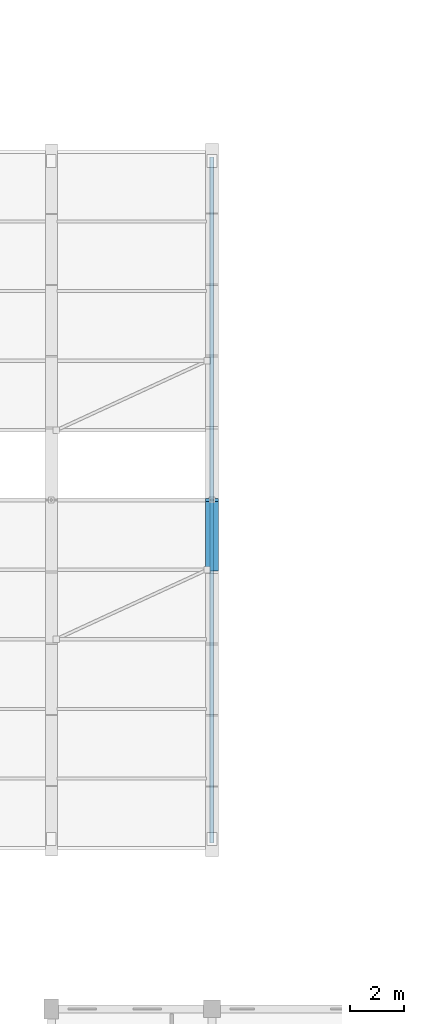
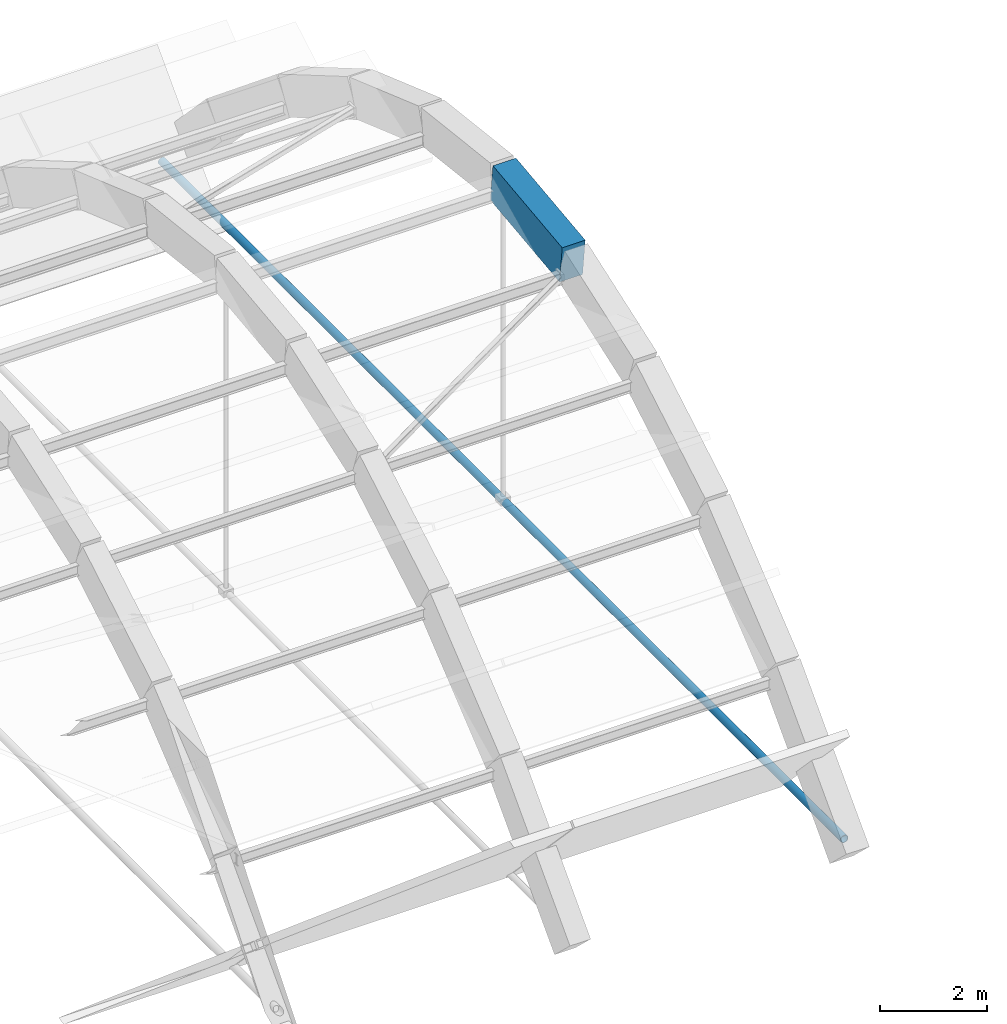
# One storey, part 35 of 123: 1 beam, 1 member.
"""IFC4 building model written with IfcOpenShell, lengths in metres."""

import ifcopenshell
import ifcopenshell.guid

model = None  # the IFC model being written
_history = None  # IfcOwnerHistory: only IFC2X3 demands one
_inside = {}  # id of a spatial element -> (the spatial element, [elements in it])
_under = {}  # id of a project, library or spatial element -> (it, [spatial elements below it])
_declared = {}  # id of a project -> (the project, [libraries it declares])
_typed = {}  # id of a type object -> (the type object, [elements of that type])
_made_of = {}  # id of a material, layer set ... -> (it, [elements and type objects made of it])


def new_model(schema):
    """Start an empty IFC model of exactly this schema.

    Asked for "IFC4X3", IfcOpenShell would pick the latest addendum, in which some entities
    have other attributes; the version numbers below select the first issue.
    IFC2X3 requires an IfcOwnerHistory on every rooted entity: one is made here for all.
    """
    global model, _history
    if schema == "IFC4X3":
        model = ifcopenshell.file(schema_version=(4, 3, 0, 0))
    else:
        model = ifcopenshell.file(schema=schema)
    _inside.clear()
    _under.clear()
    _declared.clear()
    _typed.clear()
    _made_of.clear()
    _history = None
    if model.schema == "IFC2X3":
        org = make("IfcOrganization", Name="unknown")
        user = make(
            "IfcPersonAndOrganization",
            ThePerson=make("IfcPerson", FamilyName="unknown"),
            TheOrganization=org,
        )
        app = make(
            "IfcApplication",
            ApplicationDeveloper=org,
            Version="unknown",
            ApplicationFullName="unknown",
            ApplicationIdentifier="unknown",
        )
        _history = make(
            "IfcOwnerHistory",
            OwningUser=user,
            OwningApplication=app,
            ChangeAction="ADDED",
            CreationDate=0,
        )
    return model


def make(cls, **values):
    """One entity of the class cls with the attributes given. An attribute that is None is left unset."""
    return model.create_entity(
        cls, **{name: value for name, value in values.items() if value is not None}
    )


def rooted(cls, **values):
    """An entity with a GlobalId (a new one), such as an element, a storey or a relation."""
    return make(cls, GlobalId=ifcopenshell.guid.new(), OwnerHistory=_history, **values)


def si_unit(unit_type, name, prefix=None):
    """IfcSIUnit, for example si_unit("LENGTHUNIT", "METRE", prefix="MILLI")."""
    return make("IfcSIUnit", UnitType=unit_type, Prefix=prefix, Name=name)


def assignment(units):
    """IfcUnitAssignment: the units of a project."""
    return None if units is None else make("IfcUnitAssignment", Units=units)


def point(xyz):
    """IfcCartesianPoint."""
    return None if xyz is None else make("IfcCartesianPoint", Coordinates=xyz)


def direction(xyz):
    """IfcDirection."""
    return None if xyz is None else make("IfcDirection", DirectionRatios=xyz)


def frame(location, z_axis=None, x_axis=None):
    """IfcAxis2Placement3D, a coordinate frame: its origin and axes. An axis left out is left unset."""
    return make(
        "IfcAxis2Placement3D",
        Location=point(location),
        Axis=direction(z_axis),
        RefDirection=direction(x_axis),
    )


def frame_2d(location, x_axis=None):
    """IfcAxis2Placement2D, a coordinate frame in the plane: its origin and x axis."""
    return make(
        "IfcAxis2Placement2D", Location=point(location), RefDirection=direction(x_axis)
    )


def origin():
    """The frame at (0, 0, 0) with its axes left unset."""
    return frame((0.0, 0.0, 0.0))


def origin_2d():
    """The frame at (0, 0) in the plane with its x axis left unset."""
    return frame_2d((0.0, 0.0))


def place(relative_to, where):
    """IfcLocalPlacement: puts the frame where relative to a parent placement (None: the world)."""
    return make(
        "IfcLocalPlacement", PlacementRelTo=relative_to, RelativePlacement=where
    )


def context(
    kind, dimensions, precision=None, world=None, true_north=None, identifier=None
):
    """IfcGeometricRepresentationContext, for example the 3D "Model" context."""
    return make(
        "IfcGeometricRepresentationContext",
        ContextIdentifier=identifier,
        ContextType=kind,
        CoordinateSpaceDimension=dimensions,
        Precision=precision,
        WorldCoordinateSystem=world,
        TrueNorth=true_north,
    )


def subcontext(parent, identifier, kind, view, scale=None):
    """IfcGeometricRepresentationSubContext, for example "Body" below "Model"."""
    return make(
        "IfcGeometricRepresentationSubContext",
        ContextIdentifier=identifier,
        ContextType=kind,
        ParentContext=parent,
        TargetScale=scale,
        TargetView=view,
    )


def project(units=None, contexts=None):
    """IfcProject with its units and contexts."""
    return rooted(
        "IfcProject",
        Name="project",
        RepresentationContexts=contexts,
        UnitsInContext=assignment(units),
    )


def spatial(cls, under=None, at=None, **own):
    """A site, building, storey or space (cls), placed at a placement, below another one or the project."""
    s = rooted(cls, ObjectPlacement=at, **own)
    if under is not None:
        _under.setdefault(under.id(), (under, []))[1].append(s)
    return s


def profile(cls, at=None, kind="AREA", **sizes):
    """A parametric profile (cls). Its sizes go by their IFC names, for example OverallWidth=200.0."""
    return make(cls, ProfileType=kind, Position=at, **sizes)


def rectangle(**sizes):
    """IfcRectangleProfileDef."""
    return profile("IfcRectangleProfileDef", **sizes)


def hollow_circle(**sizes):
    """IfcCircleHollowProfileDef."""
    return profile("IfcCircleHollowProfileDef", **sizes)


def extrude(swept, where, along, depth):
    """IfcExtrudedAreaSolid: the profile swept, set in the frame where, extruded along a direction by depth."""
    return make(
        "IfcExtrudedAreaSolid",
        SweptArea=swept,
        Position=where,
        ExtrudedDirection=direction(along),
        Depth=depth,
    )


def shape(context_of_items, identifier, shape_type, items):
    """IfcShapeRepresentation: the items that make up one representation, for example the "Body"."""
    return make(
        "IfcShapeRepresentation",
        ContextOfItems=context_of_items,
        RepresentationIdentifier=identifier,
        RepresentationType=shape_type,
        Items=items,
    )


def material(Name=None, Category=None):
    """IfcMaterial."""
    return make("IfcMaterial", Name=Name, Category=Category)


def material_profile(
    of_material, cross_section, Name=None, Category=None, Priority=None
):
    """IfcMaterialProfile: a cross section and its material."""
    return make(
        "IfcMaterialProfile",
        Name=Name,
        Material=of_material,
        Profile=cross_section,
        Priority=Priority,
        Category=Category,
    )


def profile_set(profiles, Name=None, composite=None):
    """IfcMaterialProfileSet."""
    return make(
        "IfcMaterialProfileSet",
        Name=Name,
        MaterialProfiles=profiles,
        CompositeProfile=composite,
    )


def made_of(thing, what):
    """Note that an element or type object is made of a material, layer set ...; save() writes the relation."""
    if what is not None:
        _made_of.setdefault(what.id(), (what, []))[1].append(thing)
    return thing


def type_object(cls, material=None, **own):
    """A type object (cls), such as IfcWallType, which elements share."""
    return made_of(rooted(cls, **own), material)


def element(
    cls,
    number,
    at=None,
    inside=None,
    cuts=None,
    type_object=None,
    material=None,
    context=None,
    identifier="Body",
    shape_type=None,
    held_by="IfcProductDefinitionShape",
    body=None,
    shapes=None,
    **own,
):
    """One element of the class cls, such as IfcWall. Its Tag is "e" and its number.

    at: its placement. inside: the storey or other place that contains it. cuts: it is an
    opening in that element (IfcRelVoidsElement). A single representation is given by context,
    identifier, shape_type and body (its items); several are given by shapes. held_by: the class
    of the entity that holds the representations. save() writes the other relations.
    """
    e = rooted(cls, Tag="e%d" % number, ObjectPlacement=at, **own)
    if body is not None:
        shapes = [shape(context, identifier, shape_type, body)]
    if shapes is not None:
        e.Representation = make(held_by, Representations=shapes)
    if inside is not None:
        _inside.setdefault(inside.id(), (inside, []))[1].append(e)
    if cuts is not None:
        rooted(
            "IfcRelVoidsElement", RelatingBuildingElement=cuts, RelatedOpeningElement=e
        )
    if type_object is not None:
        _typed.setdefault(type_object.id(), (type_object, []))[1].append(e)
    return made_of(e, material)


def aggregate(whole, parts):
    """IfcRelAggregates: a whole, such as a stair, and the parts it consists of."""
    return rooted("IfcRelAggregates", RelatingObject=whole, RelatedObjects=parts)


def save(model, path):
    """Write the relations noted so far, then the file.

    IfcRelAggregates (storeys below a building ...), IfcRelContainedInSpatialStructure (elements
    in a storey), IfcRelDefinesByType, IfcRelAssociatesMaterial and IfcRelDeclares: one each for
    every whole, place, type object, material and project.
    """
    for whole, parts in _under.values():
        aggregate(whole, parts)
    for where, things in _inside.values():
        rooted(
            "IfcRelContainedInSpatialStructure",
            RelatedElements=things,
            RelatingStructure=where,
        )
    for kind, things in _typed.values():
        rooted("IfcRelDefinesByType", RelatedObjects=things, RelatingType=kind)
    for what, things in _made_of.values():
        rooted("IfcRelAssociatesMaterial", RelatedObjects=things, RelatingMaterial=what)
    for by, libraries in _declared.values():
        rooted("IfcRelDeclares", RelatingContext=by, RelatedDefinitions=libraries)
    model.write(path)


model = new_model("IFC4")

# Units and contexts
model_context = context("Model", 3, precision=1e-05, world=origin(), true_north=direction((0.0, 1.0)))
body_context = subcontext(model_context, "Body", "Model", "MODEL_VIEW")
ifc_project = project(units=[si_unit("LENGTHUNIT", "METRE"), si_unit("AREAUNIT", "SQUARE_METRE"), si_unit("VOLUMEUNIT", "CUBIC_METRE"), si_unit("PLANEANGLEUNIT", "RADIAN"), si_unit("MASSUNIT", "GRAM", prefix="KILO"), si_unit("POWERUNIT", "WATT"), si_unit("THERMODYNAMICTEMPERATUREUNIT", "KELVIN")], contexts=[model_context])

# Site, building, storey
site_placement = place(None, origin())
site = spatial("IfcSite", under=ifc_project, at=site_placement, CompositionType="ELEMENT")
building_placement = place(site_placement, origin())
building = spatial("IfcBuilding", under=site, at=building_placement, Name="Ruvembo Vaulted Housing Court", CompositionType="ELEMENT")
storey_placement = place(building_placement, frame((0.0, 0.0, 7.699951171875)))
storey = spatial("IfcBuildingStorey", under=building, at=storey_placement, Name="L02", CompositionType="ELEMENT", Elevation=7.699951171875)

# Beam
ifc_material_1 = material(Name="Concrete C35/45", Category="concrete")
ifc_material_profile_1 = material_profile(ifc_material_1, rectangle(XDim=0.5, YDim=0.85009765625, at=origin_2d()), Name="RC 500x850")
ifc_profile_set_1 = profile_set([ifc_material_profile_1], Name="Concrete C35/45")
beam_type = type_object("IfcBeamType", Name="AR-RC-500x850", PredefinedType="BEAM", material=ifc_profile_set_1)
beam_placement = place(storey_placement, frame((108.0, 52.39990234375, 5.796142578125), z_axis=(0.0, 0.993236276414, 0.116110719637), x_axis=(-1.0, 0.0, 0.0)))
element("IfcBeam", 1, at=beam_placement, inside=storey, type_object=beam_type, Name="Community Hall Parabolic Arch Rib AR-08 Seg 5", PredefinedType="BEAM", context=body_context, shape_type="SweptSolid", body=[
    extrude(rectangle(XDim=0.5, YDim=0.85009765625, at=origin_2d()), origin(), (0.0, 0.0, 1.0), 2.617919921875),
])

# Member
ifc_material_2 = material(Name="Steel S355J2", Category="steel")
ifc_material_profile_2 = material_profile(ifc_material_2, hollow_circle(Radius=0.084228515625, WallThickness=0.010009765625, at=origin_2d()), Name="CHS 168.3x10")
ifc_profile_set_2 = profile_set([ifc_material_profile_2], Name="Steel S355J2")
member_type = type_object("IfcMemberType", Name="MEM-TIE-CHS168", PredefinedType="USERDEFINED", material=ifc_profile_set_2)
member_placement = place(storey_placement, frame((108.0, 42.199951171875, -1.25), z_axis=(0.0, 1.0, 0.0), x_axis=(-1.0, 0.0, 0.0)))
element("IfcMember", 2, at=member_placement, inside=storey, type_object=member_type, Name="Vault Springing Steel Tension Tie VT-08", ObjectType="TIE_ROD", PredefinedType="USERDEFINED", context=body_context, shape_type="SweptSolid", body=[
    extrude(hollow_circle(Radius=0.084228515625, WallThickness=0.010009765625, at=origin_2d()), origin(), (0.0, 0.0, 1.0), 25.60009765625),
])

save(model, "model.ifc")
